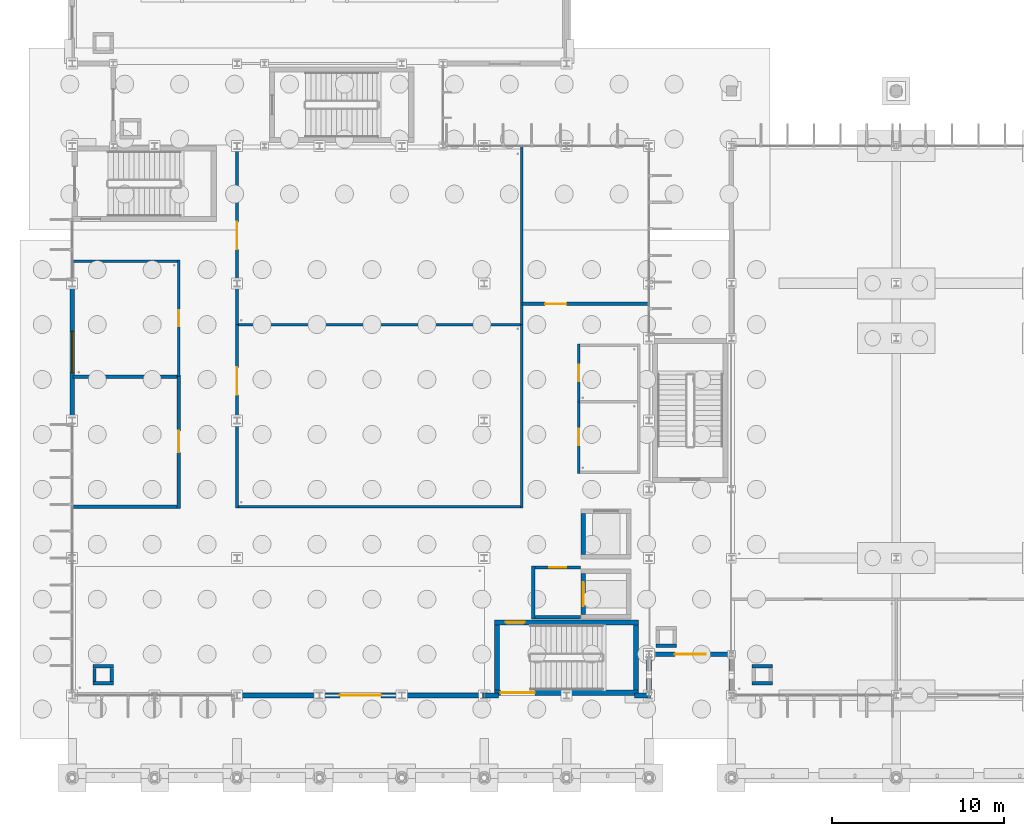
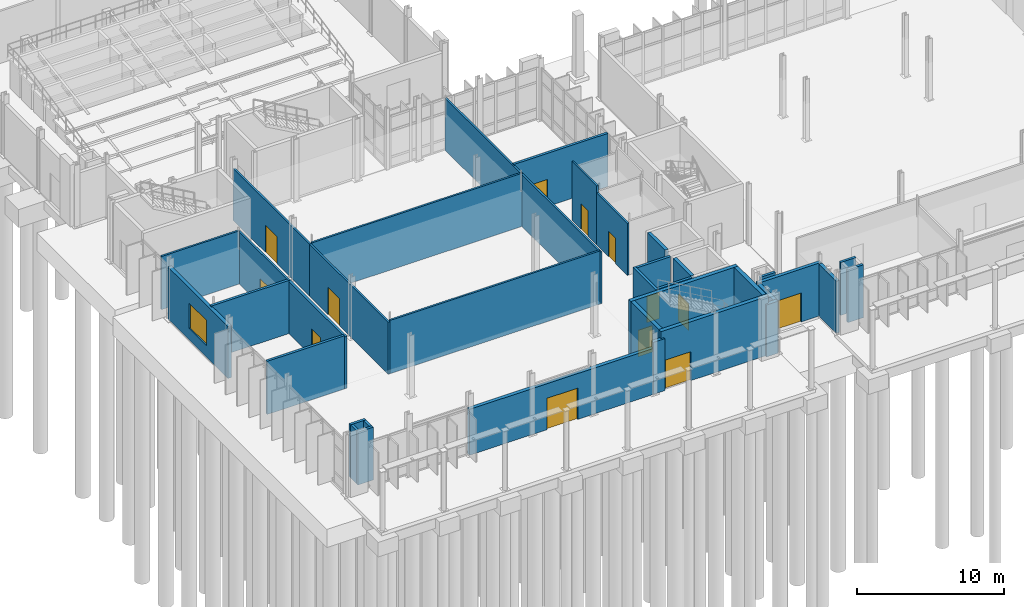
# One storey, part 58 of 111: 37 walls, 13 doors, 1 window, 14 openings.
"""IFC4 building model written with IfcOpenShell, lengths in metres."""

from ifc_helpers import new_model, si_unit, direction, frame, frame_2d, origin, place, context, subcontext, project, spatial, rectangle, extrude, material, layer, layer_set, type_object, element, fill, save


model = new_model("IFC4")

# Units and contexts
model_context = context("Model", 3, precision=1e-05, world=origin(), true_north=direction((0.0, 1.0)))
body_context = subcontext(model_context, "Body", "Model", "MODEL_VIEW")
ifc_project = project(units=[si_unit("LENGTHUNIT", "METRE"), si_unit("AREAUNIT", "SQUARE_METRE"), si_unit("VOLUMEUNIT", "CUBIC_METRE"), si_unit("PLANEANGLEUNIT", "RADIAN"), si_unit("MASSUNIT", "GRAM", prefix="KILO")], contexts=[model_context])

# Site, building, storey
site_placement = place(None, origin())
site = spatial("IfcSite", under=ifc_project, at=site_placement, CompositionType="ELEMENT")
building_placement = place(site_placement, origin())
building = spatial("IfcBuilding", under=site, at=building_placement, Name="Dunescarp Central Library", CompositionType="ELEMENT")
storey_placement = place(building_placement, origin())
storey = spatial("IfcBuildingStorey", under=building, at=storey_placement, Name="L00", CompositionType="ELEMENT", Elevation=0.0)

# Wall
ifc_material_1 = material(Name="Gypsum plasterboard acoustic partition")
ifc_layer_1 = layer(ifc_material_1, 0.14990234375)
ifc_layer_set_1 = layer_set([ifc_layer_1], Name="Gypsum plasterboard acoustic partition")
wall_type_1 = type_object("IfcWallType", Name="ARC-PT-AC150", PredefinedType="PARTITIONING", material=ifc_layer_set_1)
wall_1_placement = place(storey_placement, frame((0.0400390625, 30.10009765625, 0.0), z_axis=(0.0, 0.0, 1.0), x_axis=(1.0, 0.0, 0.0)))
element("IfcWall", 1, at=wall_1_placement, inside=storey, type_object=wall_type_1, Name="L00 partition PT-L00-0014", PredefinedType="PARTITIONING", context=body_context, shape_type="SweptSolid", body=[
    extrude(rectangle(XDim=6.0849609375, YDim=0.14990234375, at=frame_2d((3.04248046875, 0.0))), origin(), (0.0, 0.0, 1.0), 4.405029296875),
])

# Wall, opening, door
wall_2_placement = place(storey_placement, frame((6.199951171875, 23.360107421875, 0.0), z_axis=(0.0, 0.0, 1.0), x_axis=(0.0, 1.0, 0.0)))
wall_2 = element("IfcWall", 2, at=wall_2_placement, inside=storey, type_object=wall_type_1, Name="L00 partition PT-L00-0015", PredefinedType="PARTITIONING", context=body_context, shape_type="SweptSolid", body=[
    extrude(rectangle(XDim=6.81494140625, YDim=0.14990234375, at=frame_2d((3.407470703125, 0.0))), origin(), (0.0, 0.0, 1.0), 4.304931640625),
])
opening_1_placement = place(wall_2_placement, frame((2.93310546875, 0.0, 0.0)))
opening_1 = element("IfcOpeningElement", 3, at=opening_1_placement, cuts=wall_2, Name="Opening DR-L00-0005", PredefinedType="OPENING", context=body_context, shape_type="SweptSolid", body=[
    extrude(rectangle(XDim=0.949951171875, YDim=2.14990234375, at=frame_2d((0.47509765625, 1.074951171875))), frame((0.0, 0.0849609375, 0.0), z_axis=(0.0, -1.0, 0.0), x_axis=(1.0, 0.0, 0.0)), (0.0, 0.0, 1.0), 0.169921875),
])
ifc_material_2 = material(Name="Hardwood solid-core timber leaf", Category="wood")
door_type_1 = type_object("IfcDoorType", Name="ARC-DR-INT950", OperationType="NOTDEFINED", PredefinedType="DOOR", material=ifc_material_2)
door_1_placement = place(opening_1_placement, origin())
door_1 = element("IfcDoor", 4, at=door_1_placement, inside=storey, type_object=door_type_1, Name="L00 interior door DR-L00-0005", OperationType="SINGLE_SWING_RIGHT", OverallHeight=2.14990234375, OverallWidth=0.949951171875, PredefinedType="DOOR", context=body_context, shape_type="SweptSolid", body=[
    extrude(rectangle(XDim=0.949951171875, YDim=2.14990234375, at=frame_2d((0.47509765625, 1.074951171875))), frame((0.0, 0.02490234375, 0.0), z_axis=(0.0, -1.0, 0.0), x_axis=(1.0, 0.0, 0.0)), (0.0, 0.0, 1.0), 0.050048828125),
])
fill(opening_1, door_1)

# Walls
for number, where, z_axis, x_axis, name in (
    (5, (9.675048828125, 15.800048828125, 0.0), (0.0, 0.0, 1.0), (1.0, 0.0, 0.0), "L00 partition PT-L00-0016"),
    (6, (9.675048828125, 26.39990234375, 0.0), (0.0, 0.0, 1.0), (1.0, 0.0, 0.0), "L00 partition PT-L00-0017"),
):
    element("IfcWall", number, at=place(storey_placement, frame(where, z_axis=z_axis, x_axis=x_axis)), inside=storey, type_object=wall_type_1, Name=name, PredefinedType="PARTITIONING", context=body_context, shape_type="SweptSolid", body=[
        extrude(rectangle(XDim=16.449951171875, YDim=0.14990234375, at=frame_2d((8.22509765625, 0.0))), origin(), (0.0, 0.0, 1.0), 4.405029296875),
    ])

# Wall, opening, door
wall_3_placement = place(storey_placement, frame((9.60009765625, 15.72509765625, 0.0), z_axis=(0.0, 0.0, 1.0), x_axis=(0.0, 1.0, 0.0)))
wall_3 = element("IfcWall", 7, at=wall_3_placement, inside=storey, type_object=wall_type_1, Name="L00 partition PT-L00-0018", PredefinedType="PARTITIONING", context=body_context, shape_type="SweptSolid", body=[
    extrude(rectangle(XDim=10.75, YDim=0.14990234375, at=frame_2d((5.375, 0.0))), origin(), (0.0, 0.0, 1.0), 4.304931640625),
])
opening_2_placement = place(wall_3_placement, frame((6.574951171875, 0.0, 0.0)))
opening_2 = element("IfcOpeningElement", 8, at=opening_2_placement, cuts=wall_3, Name="Opening DR-L00-0006", PredefinedType="OPENING", context=body_context, shape_type="SweptSolid", body=[
    extrude(rectangle(XDim=1.60009765625, YDim=2.25, at=frame_2d((0.800048828125, 1.125))), frame((0.0, 0.0849609375, 0.0), z_axis=(0.0, -1.0, 0.0), x_axis=(1.0, 0.0, 0.0)), (0.0, 0.0, 1.0), 0.169921875),
])
ifc_material_3 = material(Name="Marine-grade anodised aluminium 6063-T6", Category="aluminium")
door_type_2 = type_object("IfcDoorType", Name="ARC-DR-DBL1600", OperationType="DOUBLE_DOOR_SINGLE_SWING", PredefinedType="DOOR", material=ifc_material_3)
door_2_placement = place(opening_2_placement, origin())
door_2 = element("IfcDoor", 9, at=door_2_placement, inside=storey, type_object=door_type_2, Name="L00 interior door DR-L00-0006", OperationType="DOUBLE_DOOR_SINGLE_SWING", OverallHeight=2.25, OverallWidth=1.60009765625, PredefinedType="DOOR", context=body_context, shape_type="SweptSolid", body=[
    extrude(rectangle(XDim=1.60009765625, YDim=2.25, at=frame_2d((0.800048828125, 1.125))), frame((0.0, 0.02490234375, 0.0), z_axis=(0.0, -1.0, 0.0), x_axis=(1.0, 0.0, 0.0)), (0.0, 0.0, 1.0), 0.050048828125),
])
fill(opening_2, door_2)

# Wall
wall_4_placement = place(storey_placement, frame((26.199951171875, 15.72509765625, 0.0), z_axis=(0.0, 0.0, 1.0), x_axis=(0.0, 1.0, 0.0)))
element("IfcWall", 10, at=wall_4_placement, inside=storey, type_object=wall_type_1, Name="L00 partition PT-L00-0019", PredefinedType="PARTITIONING", context=body_context, shape_type="SweptSolid", body=[
    extrude(rectangle(XDim=10.75, YDim=0.14990234375, at=frame_2d((5.375, 0.0))), origin(), (0.0, 0.0, 1.0), 4.304931640625),
])

# Wall, opening, door
wall_5_placement = place(storey_placement, frame((9.60009765625, 26.39990234375, 0.0), z_axis=(0.0, 0.0, 1.0), x_axis=(0.0, 1.0, 0.0)))
wall_5 = element("IfcWall", 11, at=wall_5_placement, inside=storey, type_object=wall_type_1, Name="L00 partition PT-L00-0020", PredefinedType="PARTITIONING", context=body_context, shape_type="SweptSolid", body=[
    extrude(rectangle(XDim=10.360107421875, YDim=0.14990234375, at=frame_2d((5.18017578125, 0.0))), origin(), (0.0, 0.0, 1.0), 4.304931640625),
])
opening_3_placement = place(wall_5_placement, frame((4.3798828125, 0.0, 0.0)))
opening_3 = element("IfcOpeningElement", 12, at=opening_3_placement, cuts=wall_5, Name="Opening DR-L00-0007", PredefinedType="OPENING", context=body_context, shape_type="SweptSolid", body=[
    extrude(rectangle(XDim=1.60009765625, YDim=2.25, at=frame_2d((0.800048828125, 1.125))), frame((0.0, 0.0849609375, 0.0), z_axis=(0.0, -1.0, 0.0), x_axis=(1.0, 0.0, 0.0)), (0.0, 0.0, 1.0), 0.169921875),
])
door_3_placement = place(opening_3_placement, origin())
door_3 = element("IfcDoor", 13, at=door_3_placement, inside=storey, type_object=door_type_2, Name="L00 interior door DR-L00-0007", OperationType="DOUBLE_DOOR_SINGLE_SWING", OverallHeight=2.25, OverallWidth=1.60009765625, PredefinedType="DOOR", context=body_context, shape_type="SweptSolid", body=[
    extrude(rectangle(XDim=1.60009765625, YDim=2.25, at=frame_2d((0.800048828125, 1.125))), frame((0.0, 0.02490234375, 0.0), z_axis=(0.0, -1.0, 0.0), x_axis=(1.0, 0.0, 0.0)), (0.0, 0.0, 1.0), 0.050048828125),
])
fill(opening_3, door_3)

# Walls
wall_6_placement = place(storey_placement, frame((26.199951171875, 26.39990234375, 0.0), z_axis=(0.0, 0.0, 1.0), x_axis=(0.0, 1.0, 0.0)))
element("IfcWall", 14, at=wall_6_placement, inside=storey, type_object=wall_type_1, Name="L00 partition PT-L00-0021", PredefinedType="PARTITIONING", context=body_context, shape_type="SweptSolid", body=[
    extrude(rectangle(XDim=10.360107421875, YDim=0.14990234375, at=frame_2d((5.18017578125, 0.0))), origin(), (0.0, 0.0, 1.0), 4.304931640625),
])
ifc_material_4 = material(Name="Concrete C35/45", Category="concrete")
ifc_layer_2 = layer(ifc_material_4, 0.199951171875)
ifc_layer_set_2 = layer_set([ifc_layer_2], Name="Concrete C35/45")
wall_type_2 = type_object("IfcWallType", Name="ARC-PT-FIRE200", PredefinedType="PARTITIONING", material=ifc_layer_set_2)
wall_7_placement = place(storey_placement, frame((26.949951171875, 9.35009765625, 0.0), z_axis=(0.0, 0.0, 1.0), x_axis=(1.0, 0.0, 0.0)))
element("IfcWall", 15, at=wall_7_placement, inside=storey, type_object=wall_type_2, Name="L00 partition PT-L00-0001", PredefinedType="PARTITIONING", context=body_context, shape_type="SweptSolid", body=[
    extrude(rectangle(XDim=2.650146484375, YDim=0.199951171875, at=frame_2d((1.3251953125, 0.0))), origin(), (0.0, 0.0, 1.0), 4.8798828125),
])

# Wall, opening, door
wall_8_placement = place(storey_placement, frame((26.949951171875, 12.25, 0.0), z_axis=(0.0, 0.0, 1.0), x_axis=(1.0, 0.0, 0.0)))
wall_8 = element("IfcWall", 16, at=wall_8_placement, inside=storey, type_object=wall_type_2, Name="L00 partition PT-L00-0002", PredefinedType="PARTITIONING", context=body_context, shape_type="SweptSolid", body=[
    extrude(rectangle(XDim=2.650146484375, YDim=0.199951171875, at=frame_2d((1.3251953125, 0.0))), origin(), (0.0, 0.0, 1.0), 4.8798828125),
])
opening_4_placement = place(wall_8_placement, frame((0.824951171875, 0.0, 0.0)))
opening_4 = element("IfcOpeningElement", 17, at=opening_4_placement, cuts=wall_8, Name="Opening DR-L00-0001", PredefinedType="OPENING", context=body_context, shape_type="SweptSolid", body=[
    extrude(rectangle(XDim=1.0, YDim=2.199951171875, at=frame_2d((0.5, 1.10009765625))), frame((0.0, 0.10986328125, 0.0), z_axis=(0.0, -1.0, 0.0), x_axis=(1.0, 0.0, 0.0)), (0.0, 0.0, 1.0), 0.219970703125),
])
door_type_3 = type_object("IfcDoorType", Name="ARC-DR-INT1000", OperationType="NOTDEFINED", PredefinedType="DOOR", material=ifc_material_2)
door_4_placement = place(opening_4_placement, origin())
door_4 = element("IfcDoor", 18, at=door_4_placement, inside=storey, type_object=door_type_3, Name="L00 interior door DR-L00-0001", OperationType="SINGLE_SWING_RIGHT", OverallHeight=2.199951171875, OverallWidth=1.0, PredefinedType="DOOR", context=body_context, shape_type="SweptSolid", body=[
    extrude(rectangle(XDim=1.0, YDim=2.199951171875, at=frame_2d((0.5, 1.10009765625))), frame((0.0, 0.02490234375, 0.0), z_axis=(0.0, -1.0, 0.0), x_axis=(1.0, 0.0, 0.0)), (0.0, 0.0, 1.0), 0.050048828125),
])
fill(opening_4, door_4)

# Walls
wall_9_placement = place(storey_placement, frame((26.85009765625, 9.25, 0.0), z_axis=(0.0, 0.0, 1.0), x_axis=(0.0, 1.0, 0.0)))
element("IfcWall", 19, at=wall_9_placement, inside=storey, type_object=wall_type_2, Name="L00 partition PT-L00-0003", PredefinedType="PARTITIONING", context=body_context, shape_type="SweptSolid", body=[
    extrude(rectangle(XDim=3.10009765625, YDim=0.199951171875, at=frame_2d((1.550048828125, 0.0))), origin(), (0.0, 0.0, 1.0), 4.8798828125),
])
for number, where, z_axis, x_axis, name in (
    (20, (0.0400390625, 15.800048828125, 0.0), (0.0, 0.0, 1.0), (1.0, 0.0, 0.0), "L00 partition PT-L00-0011"),
    (21, (0.0400390625, 23.360107421875, 0.0), (0.0, 0.0, 1.0), (1.0, 0.0, 0.0), "L00 partition PT-L00-0012"),
):
    element("IfcWall", number, at=place(storey_placement, frame(where, z_axis=z_axis, x_axis=x_axis)), inside=storey, type_object=wall_type_2, Name=name, PredefinedType="PARTITIONING", context=body_context, shape_type="SweptSolid", body=[
        extrude(rectangle(XDim=6.06005859375, YDim=0.199951171875, at=frame_2d((3.030029296875, 0.0))), origin(), (0.0, 0.0, 1.0), 4.405029296875),
    ])

# Wall, opening, door
wall_10_placement = place(storey_placement, frame((6.199951171875, 15.699951171875, 0.0), z_axis=(0.0, 0.0, 1.0), x_axis=(0.0, 1.0, 0.0)))
wall_10 = element("IfcWall", 22, at=wall_10_placement, inside=storey, type_object=wall_type_2, Name="L00 partition PT-L00-0013", PredefinedType="PARTITIONING", context=body_context, shape_type="SweptSolid", body=[
    extrude(rectangle(XDim=7.760009765625, YDim=0.199951171875, at=frame_2d((3.8798828125, 0.0))), origin(), (0.0, 0.0, 1.0), 4.304931640625),
])
opening_5_placement = place(wall_10_placement, frame((3.2548828125, 0.0, 0.0)))
opening_5 = element("IfcOpeningElement", 23, at=opening_5_placement, cuts=wall_10, Name="Opening DR-L00-0004", PredefinedType="OPENING", context=body_context, shape_type="SweptSolid", body=[
    extrude(rectangle(XDim=1.25, YDim=2.25, at=frame_2d((0.625, 1.125))), frame((0.0, 0.10986328125, 0.0), z_axis=(0.0, -1.0, 0.0), x_axis=(1.0, 0.0, 0.0)), (0.0, 0.0, 1.0), 0.219970703125),
])
ifc_material_5 = material(Name="Galvanised steel FD120S", Category="steel")
door_type_4 = type_object("IfcDoorType", Name="ARC-DR-VAULT1200", OperationType="NOTDEFINED", PredefinedType="DOOR", material=ifc_material_5)
door_5_placement = place(opening_5_placement, origin())
door_5 = element("IfcDoor", 24, at=door_5_placement, inside=storey, type_object=door_type_4, Name="L00 interior door DR-L00-0004", OperationType="SINGLE_SWING_LEFT", OverallHeight=2.25, OverallWidth=1.25, PredefinedType="DOOR", context=body_context, shape_type="SweptSolid", body=[
    extrude(rectangle(XDim=1.25, YDim=2.25, at=frame_2d((0.625, 1.125))), frame((0.0, 0.02490234375, 0.0), z_axis=(0.0, -1.0, 0.0), x_axis=(1.0, 0.0, 0.0)), (0.0, 0.0, 1.0), 0.050048828125),
])
fill(opening_5, door_5)

wall_11_placement = place(storey_placement, frame((26.199951171875, 27.60009765625, 0.0), z_axis=(0.0, 0.0, 1.0), x_axis=(1.0, 0.0, 0.0)))
wall_11 = element("IfcWall", 25, at=wall_11_placement, inside=storey, type_object=wall_type_2, Name="L00 partition PT-L00-0022", PredefinedType="PARTITIONING", context=body_context, shape_type="SweptSolid", body=[
    extrude(rectangle(XDim=7.360107421875, YDim=0.199951171875, at=frame_2d((3.68017578125, 0.0))), origin(), (0.0, 0.0, 1.0), 4.405029296875),
])
opening_6_placement = place(wall_11_placement, frame((1.343994140625, 0.0, 0.0)))
opening_6 = element("IfcOpeningElement", 26, at=opening_6_placement, cuts=wall_11, Name="Opening DR-L00-0008", PredefinedType="OPENING", context=body_context, shape_type="SweptSolid", body=[
    extrude(rectangle(XDim=1.25, YDim=2.25, at=frame_2d((0.625, 1.125))), frame((0.0, 0.10986328125, 0.0), z_axis=(0.0, -1.0, 0.0), x_axis=(1.0, 0.0, 0.0)), (0.0, 0.0, 1.0), 0.219970703125),
])
door_6_placement = place(opening_6_placement, origin())
door_6 = element("IfcDoor", 27, at=door_6_placement, inside=storey, type_object=door_type_4, Name="L00 interior door DR-L00-0008", OperationType="SINGLE_SWING_LEFT", OverallHeight=2.25, OverallWidth=1.25, PredefinedType="DOOR", context=body_context, shape_type="SweptSolid", body=[
    extrude(rectangle(XDim=1.25, YDim=2.25, at=frame_2d((0.625, 1.125))), frame((0.0, 0.02490234375, 0.0), z_axis=(0.0, -1.0, 0.0), x_axis=(1.0, 0.0, 0.0)), (0.0, 0.0, 1.0), 0.050048828125),
])
fill(opening_6, door_6)

ifc_material_6 = material(Name="Autoclaved aerated concrete block", Category="concrete")
ifc_layer_3 = layer(ifc_material_6, 0.139892578125)
ifc_layer_set_3 = layer_set([ifc_layer_3], Name="Autoclaved aerated concrete block")
wall_type_3 = type_object("IfcWallType", Name="ARC-PT-WET140", PredefinedType="PARTITIONING", material=ifc_layer_set_3)
wall_12_placement = place(storey_placement, frame((29.5, 17.72998046875, 0.0), z_axis=(0.0, 0.0, 1.0), x_axis=(0.0, 1.0, 0.0)))
wall_12 = element("IfcWall", 28, at=wall_12_placement, inside=storey, type_object=wall_type_3, Name="L00 partition PT-L00-0006", PredefinedType="PARTITIONING", context=body_context, shape_type="SweptSolid", body=[
    extrude(rectangle(XDim=4.239990234375, YDim=0.139892578125, at=frame_2d((2.1201171875, 0.0))), origin(), (0.0, 0.0, 1.0), 4.304931640625),
])
opening_7_placement = place(wall_12_placement, frame((1.64501953125, 0.0, 0.0)))
opening_7 = element("IfcOpeningElement", 29, at=opening_7_placement, cuts=wall_12, Name="Opening DR-L00-0002", PredefinedType="OPENING", context=body_context, shape_type="SweptSolid", body=[
    extrude(rectangle(XDim=0.949951171875, YDim=2.10009765625, at=frame_2d((0.47509765625, 1.050048828125))), frame((0.0, 0.080078125, 0.0), z_axis=(0.0, -1.0, 0.0), x_axis=(1.0, 0.0, 0.0)), (0.0, 0.0, 1.0), 0.159912109375),
])
door_type_5 = type_object("IfcDoorType", Name="ARC-DR-WC950", OperationType="NOTDEFINED", PredefinedType="DOOR", material=ifc_material_2)
door_7_placement = place(opening_7_placement, origin())
door_7 = element("IfcDoor", 30, at=door_7_placement, inside=storey, type_object=door_type_5, Name="L00 interior door DR-L00-0002", OperationType="SINGLE_SWING_LEFT", OverallHeight=2.10009765625, OverallWidth=0.949951171875, PredefinedType="DOOR", context=body_context, shape_type="SweptSolid", body=[
    extrude(rectangle(XDim=0.949951171875, YDim=2.10009765625, at=frame_2d((0.47509765625, 1.050048828125))), frame((0.0, 0.02490234375, 0.0), z_axis=(0.0, -1.0, 0.0), x_axis=(1.0, 0.0, 0.0)), (0.0, 0.0, 1.0), 0.050048828125),
])
fill(opening_7, door_7)

wall_13_placement = place(storey_placement, frame((29.5, 21.89990234375, 0.0), z_axis=(0.0, 0.0, 1.0), x_axis=(0.0, 1.0, 0.0)))
wall_13 = element("IfcWall", 31, at=wall_13_placement, inside=storey, type_object=wall_type_3, Name="L00 partition PT-L00-0009", PredefinedType="PARTITIONING", context=body_context, shape_type="SweptSolid", body=[
    extrude(rectangle(XDim=3.3701171875, YDim=0.139892578125, at=frame_2d((1.68505859375, 0.0))), origin(), (0.0, 0.0, 1.0), 4.8798828125),
])
opening_8_placement = place(wall_13_placement, frame((1.2099609375, 0.0, 0.0)))
opening_8 = element("IfcOpeningElement", 32, at=opening_8_placement, cuts=wall_13, Name="Opening DR-L00-0003", PredefinedType="OPENING", context=body_context, shape_type="SweptSolid", body=[
    extrude(rectangle(XDim=0.949951171875, YDim=2.10009765625, at=frame_2d((0.47509765625, 1.050048828125))), frame((0.0, 0.080078125, 0.0), z_axis=(0.0, -1.0, 0.0), x_axis=(1.0, 0.0, 0.0)), (0.0, 0.0, 1.0), 0.159912109375),
])
door_8_placement = place(opening_8_placement, origin())
door_8 = element("IfcDoor", 33, at=door_8_placement, inside=storey, type_object=door_type_5, Name="L00 interior door DR-L00-0003", OperationType="SINGLE_SWING_RIGHT", OverallHeight=2.10009765625, OverallWidth=0.949951171875, PredefinedType="DOOR", context=body_context, shape_type="SweptSolid", body=[
    extrude(rectangle(XDim=0.949951171875, YDim=2.10009765625, at=frame_2d((0.47509765625, 1.050048828125))), frame((0.0, 0.02490234375, 0.0), z_axis=(0.0, -1.0, 0.0), x_axis=(1.0, 0.0, 0.0)), (0.0, 0.0, 1.0), 0.050048828125),
])
fill(opening_8, door_8)

# Wall
ifc_material_7 = material(Name="Glass-fibre reinforced concrete GRC", Category="concrete")
ifc_layer_4 = layer(ifc_material_7, 0.260009765625)
ifc_layer_set_4 = layer_set([ifc_layer_4], Name="Glass-fibre reinforced concrete GRC")
wall_type_4 = type_object("IfcWallType", Name="ARC-WL-GRC260", PredefinedType="SOLIDWALL", material=ifc_layer_set_4)
wall_14_placement = place(storey_placement, frame((38.39990234375, 4.715087890625, 0.0), z_axis=(0.0, 0.0, 1.0), x_axis=(0.0, 1.0, 0.0)))
element("IfcWall", 34, at=wall_14_placement, inside=storey, type_object=wall_type_4, Name="L00 external wall EW-V2-033", PredefinedType="SOLIDWALL", context=body_context, shape_type="SweptSolid", body=[
    extrude(rectangle(XDim=2.56982421875, YDim=0.260009765625, at=frame_2d((1.284912109375, 0.0))), origin(), (0.0, 0.0, 1.0), 4.31494140625),
])

# Wall, opening, door
wall_15_placement = place(storey_placement, frame((38.485107421875, 7.199951171875, 0.0), z_axis=(0.0, 0.0, 1.0), x_axis=(-1.0, 0.0, 0.0)))
wall_15 = element("IfcWall", 35, at=wall_15_placement, inside=storey, type_object=wall_type_4, Name="L00 external wall EW-GL1-S", PredefinedType="SOLIDWALL", context=body_context, shape_type="SweptSolid", body=[
    extrude(rectangle(XDim=4.97021484375, YDim=0.260009765625, at=frame_2d((2.485107421875, 0.0))), origin(), (0.0, 0.0, 1.0), 4.387939453125),
])
opening_9_placement = place(wall_15_placement, frame((1.5849609375, 0.0, 0.0)))
opening_9 = element("IfcOpeningElement", 36, at=opening_9_placement, cuts=wall_15, Name="Opening ED-03", PredefinedType="OPENING", context=body_context, shape_type="SweptSolid", body=[
    extrude(rectangle(XDim=1.800048828125, YDim=2.39990234375, at=frame_2d((0.89990234375, 1.199951171875))), frame((0.0, 0.14013671875, 0.0), z_axis=(0.0, -1.0, 0.0), x_axis=(1.0, 0.0, 0.0)), (0.0, 0.0, 1.0), 0.280029296875),
])
door_type_6 = type_object("IfcDoorType", Name="ARC-DR-EXIT1800", OperationType="NOTDEFINED", PredefinedType="DOOR", material=ifc_material_3)
door_9_placement = place(opening_9_placement, origin())
door_9 = element("IfcDoor", 37, at=door_9_placement, inside=storey, type_object=door_type_6, Name="L00 external door ED-03", OperationType="SINGLE_SWING_LEFT", OverallHeight=2.39990234375, OverallWidth=1.800048828125, PredefinedType="DOOR", context=body_context, shape_type="SweptSolid", body=[
    extrude(rectangle(XDim=1.800048828125, YDim=2.39990234375, at=frame_2d((0.89990234375, 1.199951171875))), frame((0.0, 0.02490234375, 0.0), z_axis=(0.0, -1.0, 0.0), x_axis=(1.0, 0.0, 0.0)), (0.0, 0.0, 1.0), 0.050048828125),
])
fill(opening_9, door_9)

ifc_layer_5 = layer(ifc_material_7, 0.280029296875)
ifc_layer_set_5 = layer_set([ifc_layer_5], Name="Glass-fibre reinforced concrete GRC")
wall_type_5 = type_object("IfcWallType", Name="ARC-WL-GRC280", PredefinedType="SOLIDWALL", material=ifc_layer_set_5)
wall_16_placement = place(storey_placement, frame((24.0849609375, 4.800048828125, 0.0), z_axis=(0.0, 0.0, 1.0), x_axis=(-1.0, 0.0, 0.0)))
wall_16 = element("IfcWall", 38, at=wall_16_placement, inside=storey, type_object=wall_type_5, Name="L00 external wall EW-V1-001", PredefinedType="SOLIDWALL", context=body_context, shape_type="SweptSolid", body=[
    extrude(rectangle(XDim=14.570068359375, YDim=0.280029296875, at=frame_2d((7.28515625, 0.0))), origin(), (0.0, 0.0, 1.0), 3.804931640625),
])
opening_10_placement = place(wall_16_placement, frame((6.0849609375, 0.0, 0.0)))
opening_10 = element("IfcOpeningElement", 39, at=opening_10_placement, cuts=wall_16, Name="Opening D-ENT-01", PredefinedType="OPENING", context=body_context, shape_type="SweptSolid", body=[
    extrude(rectangle(XDim=2.39990234375, YDim=2.60009765625, at=frame_2d((1.199951171875, 1.300048828125))), frame((0.0, 0.14990234375, 0.0), z_axis=(0.0, -1.0, 0.0), x_axis=(1.0, 0.0, 0.0)), (0.0, 0.0, 1.0), 0.300048828125),
])
door_type_7 = type_object("IfcDoorType", Name="ARC-DR-ENT2400", OperationType="DOUBLE_SWING_LEFT", PredefinedType="DOOR", material=ifc_material_3)
door_10_placement = place(opening_10_placement, origin())
door_10 = element("IfcDoor", 40, at=door_10_placement, inside=storey, type_object=door_type_7, Name="L00 external door D-ENT-01", OperationType="DOUBLE_SWING_LEFT", OverallHeight=2.60009765625, OverallWidth=2.39990234375, PredefinedType="DOOR", context=body_context, shape_type="SweptSolid", body=[
    extrude(rectangle(XDim=2.39990234375, YDim=2.60009765625, at=frame_2d((1.199951171875, 1.300048828125))), frame((0.0, 0.02490234375, 0.0), z_axis=(0.0, -1.0, 0.0), x_axis=(1.0, 0.0, 0.0)), (0.0, 0.0, 1.0), 0.050048828125),
])
fill(opening_10, door_10)

# Walls
wall_17_placement = place(storey_placement, frame((24.8349609375, 4.800048828125, 0.0), z_axis=(0.0, 0.0, 1.0), x_axis=(-1.0, 0.0, 0.0)))
element("IfcWall", 41, at=wall_17_placement, inside=storey, type_object=wall_type_5, Name="L00 external wall EW-V1-002", PredefinedType="SOLIDWALL", context=body_context, shape_type="SweptSolid", body=[
    extrude(rectangle(XDim=0.919921875, YDim=0.280029296875, at=frame_2d((0.4599609375, 0.0))), origin(), (0.0, 0.0, 1.0), 4.304931640625),
])
wall_18_placement = place(storey_placement, frame((33.68505859375, 4.800048828125, 0.0), z_axis=(0.0, 0.0, 1.0), x_axis=(-1.0, 0.0, 0.0)))
element("IfcWall", 42, at=wall_18_placement, inside=storey, type_object=wall_type_5, Name="L00 external wall EW-V1-003", PredefinedType="SOLIDWALL", context=body_context, shape_type="SweptSolid", body=[
    extrude(rectangle(XDim=0.920166015625, YDim=0.280029296875, at=frame_2d((0.4599609375, 0.0))), origin(), (0.0, 0.0, 1.0), 4.304931640625),
])

# Wall, opening, window
wall_19_placement = place(storey_placement, frame((0.0, 20.715087890625, 0.0), z_axis=(0.0, 0.0, 1.0), x_axis=(0.0, 1.0, 0.0)))
wall_19 = element("IfcWall", 43, at=wall_19_placement, inside=storey, type_object=wall_type_5, Name="L00 external wall EW-V1-004", PredefinedType="SOLIDWALL", context=body_context, shape_type="SweptSolid", body=[
    extrude(rectangle(XDim=8.169921875, YDim=0.280029296875, at=frame_2d((4.0849609375, 0.0))), origin(), (0.0, 0.0, 1.0), 4.304931640625),
])
opening_11_placement = place(wall_19_placement, frame((2.885009765625, 0.0, 0.949951171875)))
opening_11 = element("IfcOpeningElement", 44, at=opening_11_placement, cuts=wall_19, Name="Opening WN-001", PredefinedType="OPENING", context=body_context, shape_type="SweptSolid", body=[
    extrude(rectangle(XDim=2.39990234375, YDim=2.10009765625, at=frame_2d((1.199951171875, 1.050048828125))), frame((0.0, 0.14990234375, 0.0), z_axis=(0.0, -1.0, 0.0), x_axis=(1.0, 0.0, 0.0)), (0.0, 0.0, 1.0), 0.300048828125),
])
ifc_material_8 = material(Name="Solar-control laminated double glazing", Category="glass")
window_type = type_object("IfcWindowType", Name="ARC-WN-2400X2100", PartitioningType="SINGLE_PANEL", PredefinedType="WINDOW", material=ifc_material_8)
window_placement = place(opening_11_placement, origin())
window = element("IfcWindow", 45, at=window_placement, inside=storey, type_object=window_type, Name="L00 window WN-001", OverallHeight=2.10009765625, OverallWidth=2.39990234375, PartitioningType="SINGLE_PANEL", PredefinedType="WINDOW", context=body_context, shape_type="SweptSolid", body=[
    extrude(rectangle(XDim=2.39990234375, YDim=2.10009765625, at=frame_2d((1.199951171875, 1.050048828125))), frame((0.0, 0.030029296875, 0.0), z_axis=(0.0, -1.0, 0.0), x_axis=(1.0, 0.0, 0.0)), (0.0, 0.0, 1.0), 0.06005859375),
])
fill(opening_11, window)

# Walls
wall_20_placement = place(storey_placement, frame((33.60009765625, 7.284912109375, 0.0), z_axis=(0.0, 0.0, 1.0), x_axis=(0.0, -1.0, 0.0)))
element("IfcWall", 46, at=wall_20_placement, inside=storey, type_object=wall_type_5, Name="L00 external wall EW-V1-005", PredefinedType="SOLIDWALL", context=body_context, shape_type="SweptSolid", body=[
    extrude(rectangle(XDim=2.56982421875, YDim=0.280029296875, at=frame_2d((1.284912109375, 0.0))), origin(), (0.0, 0.0, 1.0), 4.304931640625),
])
ifc_layer_6 = layer(ifc_material_4, 0.199951171875)
ifc_layer_set_6 = layer_set([ifc_layer_6], Name="Concrete C35/45")
wall_type_6 = type_object("IfcWallType", Name="ARC-WL-RISER200", PredefinedType="PARTITIONING", material=ifc_layer_set_6)
for number, where, z_axis, x_axis, name in (
    (47, (2.39990234375, 5.5, 0.0), (0.0, 0.0, 1.0), (-1.0, 0.0, 0.0), "L00 V1 duct shaft wall S"),
    (48, (1.199951171875, 6.5, 0.0), (0.0, 0.0, 1.0), (1.0, 0.0, 0.0), "L00 V1 duct shaft wall N"),
):
    element("IfcWall", number, at=place(storey_placement, frame(where, z_axis=z_axis, x_axis=x_axis)), inside=storey, type_object=wall_type_6, Name=name, PredefinedType="PARTITIONING", context=body_context, shape_type="SweptSolid", body=[
        extrude(rectangle(XDim=1.199951171875, YDim=0.199951171875, at=frame_2d((0.60009765625, 0.0))), origin(), (0.0, 0.0, 1.0), 4.3798828125),
    ])
for number, where, z_axis, x_axis, name in (
    (49, (1.300048828125, 5.6201171875, 0.0), (0.0, 0.0, 1.0), (0.0, 1.0, 0.0), "L00 V1 duct shaft wall W"),
    (50, (2.300048828125, 6.3798828125, 0.0), (0.0, 0.0, 1.0), (0.0, -1.0, 0.0), "L00 V1 duct shaft wall E"),
):
    element("IfcWall", number, at=place(storey_placement, frame(where, z_axis=z_axis, x_axis=x_axis)), inside=storey, type_object=wall_type_6, Name=name, PredefinedType="PARTITIONING", context=body_context, shape_type="SweptSolid", body=[
        extrude(rectangle(XDim=0.759765625, YDim=0.199951171875, at=frame_2d((0.3798828125, 0.0))), origin(), (0.0, 0.0, 1.0), 4.3798828125),
    ])
for number, where, z_axis, x_axis, name in (
    (51, (40.800048828125, 5.5, 0.0), (0.0, 0.0, 1.0), (-1.0, 0.0, 0.0), "L00 V2 duct shaft wall S"),
    (52, (39.60009765625, 6.5, 0.0), (0.0, 0.0, 1.0), (1.0, 0.0, 0.0), "L00 V2 duct shaft wall N"),
    (53, (35.199951171875, 7.699951171875, 0.0), (0.0, 0.0, 1.0), (-1.0, 0.0, 0.0), "L00 GL1 duct shaft wall S"),
):
    element("IfcWall", number, at=place(storey_placement, frame(where, z_axis=z_axis, x_axis=x_axis)), inside=storey, type_object=wall_type_6, Name=name, PredefinedType="PARTITIONING", context=body_context, shape_type="SweptSolid", body=[
        extrude(rectangle(XDim=1.199951171875, YDim=0.199951171875, at=frame_2d((0.60009765625, 0.0))), origin(), (0.0, 0.0, 1.0), 4.3798828125),
    ])

# Wall, opening, door
ifc_material_9 = material(Name="Concrete C40/50", Category="concrete")
ifc_layer_7 = layer(ifc_material_9, 0.25)
ifc_layer_set_7 = layer_set([ifc_layer_7], Name="Concrete C40/50")
wall_type_7 = type_object("IfcWallType", Name="STR-WL-CORE250", PredefinedType="SHEAR", material=ifc_layer_set_7)
wall_21_placement = place(storey_placement, frame((29.77490234375, 9.5, 0.0), z_axis=(0.0, 0.0, 1.0), x_axis=(0.0, 1.0, 0.0)))
wall_21 = element("IfcWall", 54, at=wall_21_placement, inside=storey, type_object=wall_type_7, Name="L00 FFL-1 lift shaft wall W", PredefinedType="SHEAR", context=body_context, shape_type="SweptSolid", body=[
    extrude(rectangle(XDim=2.39990234375, YDim=0.25, at=frame_2d((1.199951171875, 0.0))), origin(), (0.0, 0.0, 1.0), 4.8798828125),
])
opening_12_placement = place(wall_21_placement, frame((0.5, 0.0, 0.0)))
opening_12 = element("IfcOpeningElement", 55, at=opening_12_placement, cuts=wall_21, Name="Opening LD-FFL-1-L00", PredefinedType="OPENING", context=body_context, shape_type="SweptSolid", body=[
    extrude(rectangle(XDim=1.39990234375, YDim=2.199951171875, at=frame_2d((0.699951171875, 1.10009765625))), frame((0.0, 0.135009765625, 0.0), z_axis=(0.0, -1.0, 0.0), x_axis=(1.0, 0.0, 0.0)), (0.0, 0.0, 1.0), 0.27001953125),
])
ifc_material_10 = material(Name="Stainless steel Grade 316L", Category="steel")
door_type_8 = type_object("IfcDoorType", Name="ARC-DR-LD1400", OperationType="DOUBLE_DOOR_SLIDING", PredefinedType="DOOR", material=ifc_material_10)
door_11_placement = place(opening_12_placement, origin())
door_11 = element("IfcDoor", 56, at=door_11_placement, inside=storey, type_object=door_type_8, Name="L00 FFL-1 lift landing door", OperationType="DOUBLE_DOOR_SLIDING", OverallHeight=2.199951171875, OverallWidth=1.39990234375, PredefinedType="DOOR", context=body_context, shape_type="SweptSolid", body=[
    extrude(rectangle(XDim=1.39990234375, YDim=2.199951171875, at=frame_2d((0.699951171875, 1.10009765625))), frame((0.0, 0.02490234375, 0.0), z_axis=(0.0, -1.0, 0.0), x_axis=(1.0, 0.0, 0.0)), (0.0, 0.0, 1.0), 0.050048828125),
])
fill(opening_12, door_11)

# Wall
wall_22_placement = place(storey_placement, frame((29.77490234375, 13.0, 0.0), z_axis=(0.0, 0.0, 1.0), x_axis=(0.0, 1.0, 0.0)))
element("IfcWall", 57, at=wall_22_placement, inside=storey, type_object=wall_type_7, Name="L00 SL-1 lift shaft wall W", PredefinedType="SHEAR", context=body_context, shape_type="SweptSolid", body=[
    extrude(rectangle(XDim=2.39990234375, YDim=0.25, at=frame_2d((1.199951171875, 0.0))), origin(), (0.0, 0.0, 1.0), 4.8798828125),
])

# Wall, opening, door
ifc_layer_8 = layer(ifc_material_9, 0.300048828125)
ifc_layer_set_8 = layer_set([ifc_layer_8], Name="Concrete C40/50")
wall_type_8 = type_object("IfcWallType", Name="STR-WL-CORE300", PredefinedType="SHEAR", material=ifc_layer_set_8)
wall_23_placement = place(storey_placement, frame((33.0, 4.949951171875, 0.0), z_axis=(0.0, 0.0, 1.0), x_axis=(-1.0, 0.0, 0.0)))
wall_23 = element("IfcWall", 58, at=wall_23_placement, inside=storey, type_object=wall_type_8, Name="L00 ST-1 south core wall", PredefinedType="SHEAR", context=body_context, shape_type="SweptSolid", body=[
    extrude(rectangle(XDim=8.39990234375, YDim=0.300048828125, at=frame_2d((4.199951171875, 0.0))), origin(), (0.0, 0.0, 1.0), 4.8798828125),
])
opening_13_placement = place(wall_23_placement, frame((6.050048828125, 0.0, 0.0)))
opening_13 = element("IfcOpeningElement", 59, at=opening_13_placement, cuts=wall_23, Name="Opening ED-01", PredefinedType="OPENING", context=body_context, shape_type="SweptSolid", body=[
    extrude(rectangle(XDim=2.0, YDim=2.39990234375, at=frame_2d((1.0, 1.199951171875))), frame((0.0, 0.16015625, 0.0), z_axis=(0.0, -1.0, 0.0), x_axis=(1.0, 0.0, 0.0)), (0.0, 0.0, 1.0), 0.320068359375),
])
door_type_9 = type_object("IfcDoorType", Name="ARC-DR-EXIT2000", OperationType="NOTDEFINED", PredefinedType="DOOR", material=ifc_material_3)
door_12_placement = place(opening_13_placement, origin())
door_12 = element("IfcDoor", 60, at=door_12_placement, inside=storey, type_object=door_type_9, Name="Ground fire exit door ED-01", OperationType="SINGLE_SWING_LEFT", OverallHeight=2.39990234375, OverallWidth=2.0, PredefinedType="DOOR", context=body_context, shape_type="SweptSolid", body=[
    extrude(rectangle(XDim=2.0, YDim=2.39990234375, at=frame_2d((1.0, 1.199951171875))), frame((0.0, 0.02490234375, 0.0), z_axis=(0.0, -1.0, 0.0), x_axis=(1.0, 0.0, 0.0)), (0.0, 0.0, 1.0), 0.050048828125),
])
fill(opening_13, door_12)

wall_24_placement = place(storey_placement, frame((24.60009765625, 9.050048828125, 0.0), z_axis=(0.0, 0.0, 1.0), x_axis=(1.0, 0.0, 0.0)))
wall_24 = element("IfcWall", 61, at=wall_24_placement, inside=storey, type_object=wall_type_8, Name="L00 ST-1 north core wall", PredefinedType="SHEAR", context=body_context, shape_type="SweptSolid", body=[
    extrude(rectangle(XDim=8.39990234375, YDim=0.300048828125, at=frame_2d((4.199951171875, 0.0))), origin(), (0.0, 0.0, 1.0), 4.8798828125),
])
opening_14_placement = place(wall_24_placement, frame((0.64990234375, 0.0, 0.0)))
opening_14 = element("IfcOpeningElement", 62, at=opening_14_placement, cuts=wall_24, Name="Opening D-ST-1-L00", PredefinedType="OPENING", context=body_context, shape_type="SweptSolid", body=[
    extrude(rectangle(XDim=1.10009765625, YDim=2.199951171875, at=frame_2d((0.550048828125, 1.10009765625))), frame((0.0, 0.16015625, 0.0), z_axis=(0.0, -1.0, 0.0), x_axis=(1.0, 0.0, 0.0)), (0.0, 0.0, 1.0), 0.320068359375),
])
door_type_10 = type_object("IfcDoorType", Name="ARC-DR-STAIR", OperationType="NOTDEFINED", PredefinedType="DOOR", material=ifc_material_5)
door_13_placement = place(opening_14_placement, origin())
door_13 = element("IfcDoor", 63, at=door_13_placement, inside=storey, type_object=door_type_10, Name="L00 ST-1 fire stair door", OperationType="SINGLE_SWING_RIGHT", OverallHeight=2.199951171875, OverallWidth=1.10009765625, PredefinedType="DOOR", context=body_context, shape_type="SweptSolid", body=[
    extrude(rectangle(XDim=1.10009765625, YDim=2.199951171875, at=frame_2d((0.550048828125, 1.10009765625))), frame((0.0, 0.02490234375, 0.0), z_axis=(0.0, -1.0, 0.0), x_axis=(1.0, 0.0, 0.0)), (0.0, 0.0, 1.0), 0.050048828125),
])
fill(opening_14, door_13)

# Walls
for number, where, z_axis, x_axis, name in (
    (64, (24.75, 5.10009765625, 0.0), (0.0, 0.0, 1.0), (0.0, 1.0, 0.0), "L00 ST-1 west core wall"),
    (65, (32.85009765625, 8.89990234375, 0.0), (0.0, 0.0, 1.0), (0.0, -1.0, 0.0), "L00 ST-1 east core wall"),
):
    element("IfcWall", number, at=place(storey_placement, frame(where, z_axis=z_axis, x_axis=x_axis)), inside=storey, type_object=wall_type_8, Name=name, PredefinedType="SHEAR", context=body_context, shape_type="SweptSolid", body=[
        extrude(rectangle(XDim=3.7998046875, YDim=0.300048828125, at=frame_2d((1.89990234375, 0.0))), origin(), (0.0, 0.0, 1.0), 4.8798828125),
    ])

save(model, "model.ifc")
